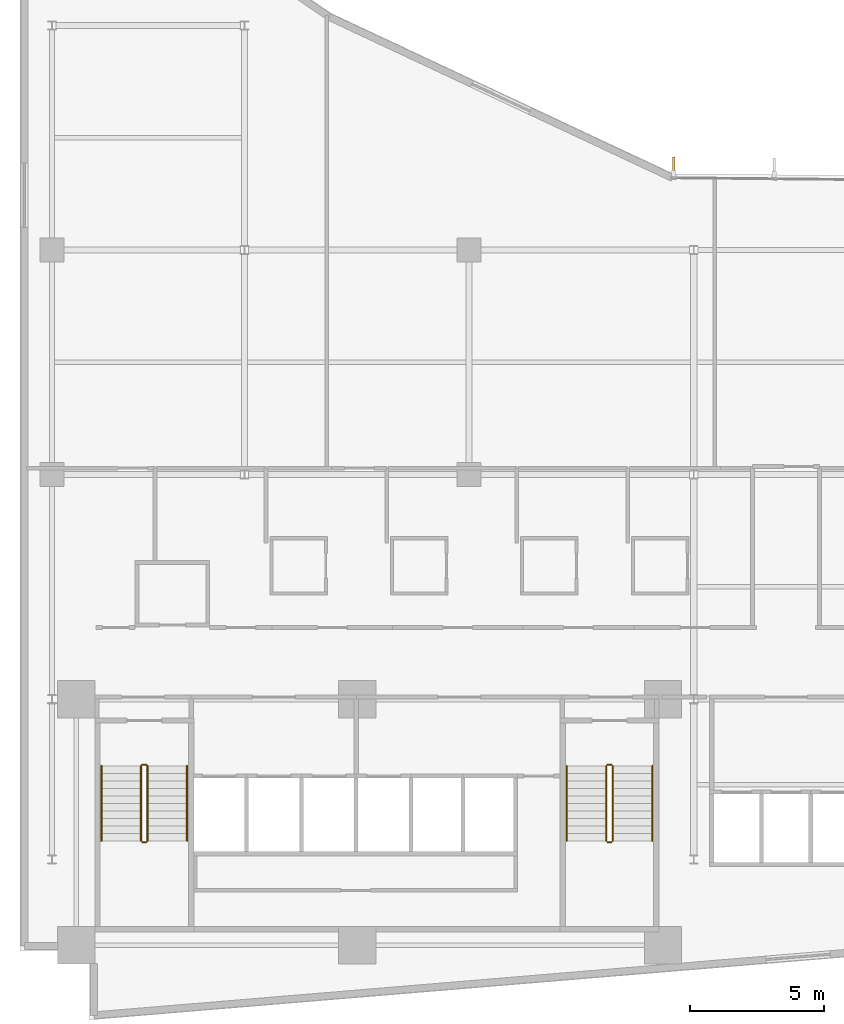
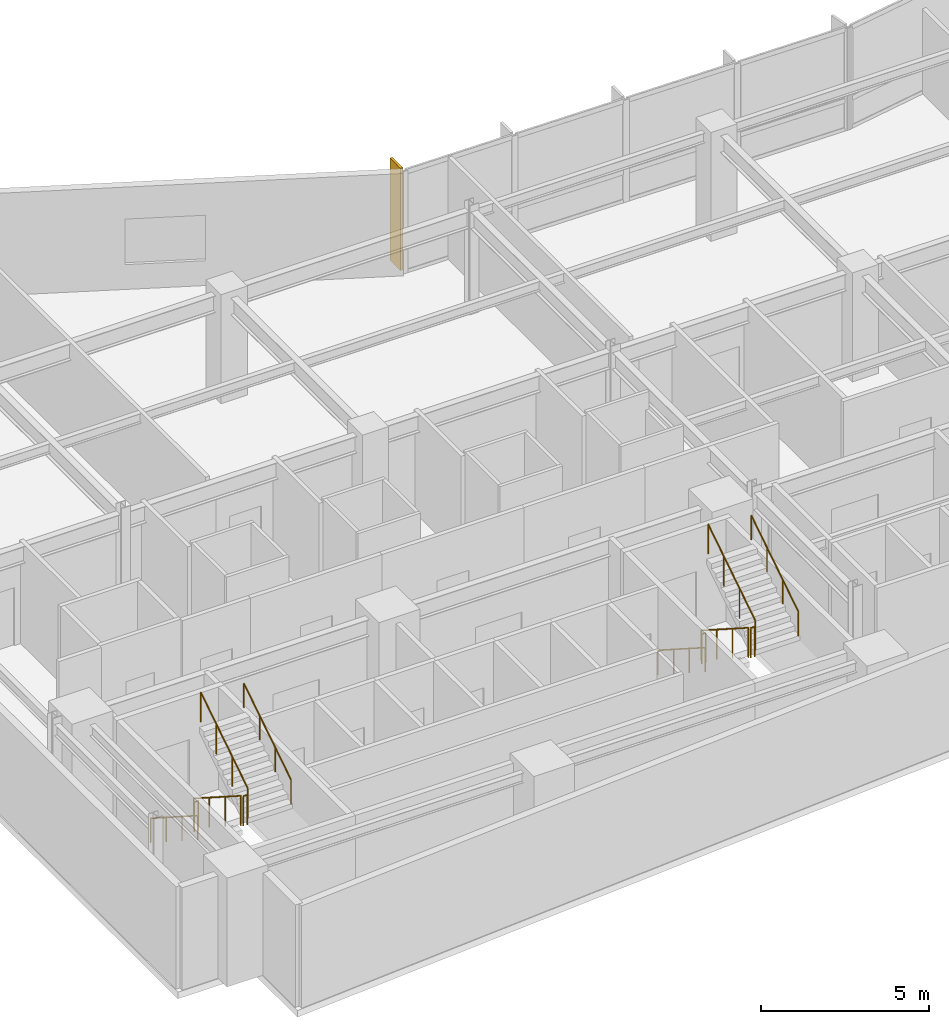
# One storey, part 14 of 18: 12 railings, 1 shading device.
"""IFC4 building model written with IfcOpenShell, lengths in metres."""

from ifc_helpers import new_model, si_unit, direction, frame, origin, origin_2d, place, context, subcontext, project, spatial, rectangle, circle, extrude, material, layer, layer_set, type_object, element, save


model = new_model("IFC4")

# Units and contexts
model_context = context("Model", 3, precision=1e-05, world=origin(), true_north=direction((0.0, 1.0)))
body_context = subcontext(model_context, "Body", "Model", "MODEL_VIEW")
ifc_project = project(units=[si_unit("LENGTHUNIT", "METRE"), si_unit("AREAUNIT", "SQUARE_METRE"), si_unit("VOLUMEUNIT", "CUBIC_METRE"), si_unit("PLANEANGLEUNIT", "RADIAN"), si_unit("MASSUNIT", "GRAM", prefix="KILO")], contexts=[model_context])

# Site, building, storey
site_placement = place(None, origin())
site = spatial("IfcSite", under=ifc_project, at=site_placement, CompositionType="ELEMENT")
building_placement = place(site_placement, origin())
building = spatial("IfcBuilding", under=site, at=building_placement, Name="Varnakote Quay Hospital", CompositionType="ELEMENT")
storey_placement = place(building_placement, frame((0.0, 0.0, 69.89990234375)))
storey = spatial("IfcBuildingStorey", under=building, at=storey_placement, Name="L17", CompositionType="ELEMENT", Elevation=69.89990234375)

# Railings
ifc_material_1 = material(Name="Brushed stainless steel balustrade", Category="steel")
railing_type_1 = type_object("IfcRailingType", Name="RLG-STAIR-GUARD-1150", PredefinedType="GUARDRAIL", material=ifc_material_1)
railing_1_placement = place(storey_placement, frame((4.530029296875, 9.5, 0.1796875)))
element("IfcRailing", 1, at=railing_1_placement, inside=storey, type_object=railing_type_1, Name="L17 ST-01 stair guard 1", PredefinedType="GUARDRAIL", context=body_context, shape_type="SweptSolid", body=[
    extrude(circle(Radius=0.02392578125, at=origin_2d()), frame((0.0, 0.0, 1.076171875), z_axis=(0.0, -0.841809871826, 0.539774156196), x_axis=(1.0, 0.0, 0.0)), (0.0, 0.0, 1.0), 3.326171875),
    extrude(circle(Radius=0.02099609375, at=origin_2d()), origin(), (0.0, 0.0, 1.0), 1.052001953125),
    extrude(circle(Radius=0.02099609375, at=origin_2d()), frame((0.0, -0.933349609375, 0.598388671875)), (0.0, 0.0, 1.0), 1.052001953125),
    extrude(circle(Radius=0.02099609375, at=origin_2d()), frame((0.0, -1.86669921875, 1.197021484375)), (0.0, 0.0, 1.0), 1.052001953125),
    extrude(circle(Radius=0.02099609375, at=origin_2d()), frame((0.0, -2.800048828125, 1.79541015625)), (0.0, 0.0, 1.0), 1.052001953125),
])
railing_2_placement = place(storey_placement, frame((4.580078125, 6.64990234375, 1.97509765625)))
element("IfcRailing", 2, at=railing_2_placement, inside=storey, type_object=railing_type_1, Name="L17 ST-01 stair guard 2", PredefinedType="GUARDRAIL", context=body_context, shape_type="SweptSolid", body=[
    extrude(circle(Radius=0.02392578125, at=origin_2d()), frame((0.0, 0.0, 1.076171875), z_axis=(1.0, 0.0, 0.0), x_axis=(0.0, 1.0, 0.0)), (0.0, 0.0, 1.0), 0.139892578125),
    extrude(circle(Radius=0.02099609375, at=origin_2d()), origin(), (0.0, 0.0, 1.0), 1.052001953125),
    extrude(circle(Radius=0.02099609375, at=origin_2d()), frame((0.139892578125, 0.0, 0.0)), (0.0, 0.0, 1.0), 1.052001953125),
])
railing_3_placement = place(storey_placement, frame((4.77001953125, 6.699951171875, 2.154541015625)))
element("IfcRailing", 3, at=railing_3_placement, inside=storey, type_object=railing_type_1, Name="L17 ST-01 stair guard 3", PredefinedType="GUARDRAIL", context=body_context, shape_type="SweptSolid", body=[
    extrude(circle(Radius=0.02392578125, at=origin_2d()), frame((0.0, 0.0, 1.076171875), z_axis=(0.0, 0.841776520102, 0.539826166654), x_axis=(-1.0, 0.0, 0.0)), (0.0, 0.0, 1.0), 3.326416015625),
    extrude(circle(Radius=0.02099609375, at=origin_2d()), origin(), (0.0, 0.0, 1.0), 1.052001953125),
    extrude(circle(Radius=0.02099609375, at=origin_2d()), frame((0.0, 0.933349609375, 0.5986328125)), (0.0, 0.0, 1.0), 1.052001953125),
    extrude(circle(Radius=0.02099609375, at=origin_2d()), frame((0.0, 1.86669921875, 1.197021484375)), (0.0, 0.0, 1.0), 1.052001953125),
    extrude(circle(Radius=0.02099609375, at=origin_2d()), frame((0.0, 2.800048828125, 1.795654296875)), (0.0, 0.0, 1.0), 1.052001953125),
])
railing_4_placement = place(storey_placement, frame((4.580078125, 9.550048828125, 0.0)))
element("IfcRailing", 4, at=railing_4_placement, inside=storey, type_object=railing_type_1, Name="L17 ST-01 stair guard 4", PredefinedType="GUARDRAIL", context=body_context, shape_type="SweptSolid", body=[
    extrude(circle(Radius=0.02392578125, at=origin_2d()), frame((0.0, 0.0, 1.076171875), z_axis=(1.0, 0.0, 0.0), x_axis=(0.0, 1.0, 0.0)), (0.0, 0.0, 1.0), 0.139892578125),
    extrude(circle(Radius=0.02099609375, at=origin_2d()), origin(), (0.0, 0.0, 1.0), 1.052001953125),
    extrude(circle(Radius=0.02099609375, at=origin_2d()), frame((0.139892578125, 0.0, 0.0)), (0.0, 0.0, 1.0), 1.052001953125),
])
railing_5_placement = place(storey_placement, frame((21.929931640625, 9.5, 0.1796875)))
element("IfcRailing", 5, at=railing_5_placement, inside=storey, type_object=railing_type_1, Name="L17 ST-02 stair guard 1", PredefinedType="GUARDRAIL", context=body_context, shape_type="SweptSolid", body=[
    extrude(circle(Radius=0.02392578125, at=origin_2d()), frame((0.0, 0.0, 1.076171875), z_axis=(0.0, -0.841809871826, 0.539774156196), x_axis=(1.0, 0.0, 0.0)), (0.0, 0.0, 1.0), 3.326171875),
    extrude(circle(Radius=0.02099609375, at=origin_2d()), origin(), (0.0, 0.0, 1.0), 1.052001953125),
    extrude(circle(Radius=0.02099609375, at=origin_2d()), frame((0.0, -0.933349609375, 0.598388671875)), (0.0, 0.0, 1.0), 1.052001953125),
    extrude(circle(Radius=0.02099609375, at=origin_2d()), frame((0.0, -1.86669921875, 1.197021484375)), (0.0, 0.0, 1.0), 1.052001953125),
    extrude(circle(Radius=0.02099609375, at=origin_2d()), frame((0.0, -2.800048828125, 1.79541015625)), (0.0, 0.0, 1.0), 1.052001953125),
])
railing_6_placement = place(storey_placement, frame((21.97998046875, 6.64990234375, 1.97509765625)))
element("IfcRailing", 6, at=railing_6_placement, inside=storey, type_object=railing_type_1, Name="L17 ST-02 stair guard 2", PredefinedType="GUARDRAIL", context=body_context, shape_type="SweptSolid", body=[
    extrude(circle(Radius=0.02392578125, at=origin_2d()), frame((0.0, 0.0, 1.076171875), z_axis=(1.0, 0.0, 0.0), x_axis=(0.0, 1.0, 0.0)), (0.0, 0.0, 1.0), 0.14013671875),
    extrude(circle(Radius=0.02099609375, at=origin_2d()), origin(), (0.0, 0.0, 1.0), 1.052001953125),
    extrude(circle(Radius=0.02099609375, at=origin_2d()), frame((0.14013671875, 0.0, 0.0)), (0.0, 0.0, 1.0), 1.052001953125),
])
railing_7_placement = place(storey_placement, frame((22.169921875, 6.699951171875, 2.154541015625)))
element("IfcRailing", 7, at=railing_7_placement, inside=storey, type_object=railing_type_1, Name="L17 ST-02 stair guard 3", PredefinedType="GUARDRAIL", context=body_context, shape_type="SweptSolid", body=[
    extrude(circle(Radius=0.02392578125, at=origin_2d()), frame((0.0, 0.0, 1.076171875), z_axis=(0.0, 0.841776520102, 0.539826166654), x_axis=(-1.0, 0.0, 0.0)), (0.0, 0.0, 1.0), 3.326416015625),
    extrude(circle(Radius=0.02099609375, at=origin_2d()), origin(), (0.0, 0.0, 1.0), 1.052001953125),
    extrude(circle(Radius=0.02099609375, at=origin_2d()), frame((0.0, 0.933349609375, 0.5986328125)), (0.0, 0.0, 1.0), 1.052001953125),
    extrude(circle(Radius=0.02099609375, at=origin_2d()), frame((0.0, 1.86669921875, 1.197021484375)), (0.0, 0.0, 1.0), 1.052001953125),
    extrude(circle(Radius=0.02099609375, at=origin_2d()), frame((0.0, 2.800048828125, 1.795654296875)), (0.0, 0.0, 1.0), 1.052001953125),
])
railing_8_placement = place(storey_placement, frame((21.97998046875, 9.550048828125, 0.0)))
element("IfcRailing", 8, at=railing_8_placement, inside=storey, type_object=railing_type_1, Name="L17 ST-02 stair guard 4", PredefinedType="GUARDRAIL", context=body_context, shape_type="SweptSolid", body=[
    extrude(circle(Radius=0.02392578125, at=origin_2d()), frame((0.0, 0.0, 1.076171875), z_axis=(1.0, 0.0, 0.0), x_axis=(0.0, 1.0, 0.0)), (0.0, 0.0, 1.0), 0.14013671875),
    extrude(circle(Radius=0.02099609375, at=origin_2d()), origin(), (0.0, 0.0, 1.0), 1.052001953125),
    extrude(circle(Radius=0.02099609375, at=origin_2d()), frame((0.14013671875, 0.0, 0.0)), (0.0, 0.0, 1.0), 1.052001953125),
])
ifc_material_2 = material(Name="Brushed stainless steel handrail", Category="steel")
railing_type_2 = type_object("IfcRailingType", Name="RLG-STAIR-HND-920", PredefinedType="HANDRAIL", material=ifc_material_2)
railing_9_placement = place(storey_placement, frame((3.050048828125, 9.5, 0.1796875)))
element("IfcRailing", 9, at=railing_9_placement, inside=storey, type_object=railing_type_2, Name="L17 ST-01 stair handrail 1", PredefinedType="HANDRAIL", context=body_context, shape_type="SweptSolid", body=[
    extrude(circle(Radius=0.02392578125, at=origin_2d()), frame((0.0, 0.0, 0.8759765625), z_axis=(0.0, -0.841809871826, 0.539774156196), x_axis=(1.0, 0.0, 0.0)), (0.0, 0.0, 1.0), 3.326171875),
    extrude(circle(Radius=0.02099609375, at=origin_2d()), origin(), (0.0, 0.0, 1.0), 0.851806640625),
    extrude(circle(Radius=0.02099609375, at=origin_2d()), frame((0.0, -0.933349609375, 0.598388671875)), (0.0, 0.0, 1.0), 0.851806640625),
    extrude(circle(Radius=0.02099609375, at=origin_2d()), frame((0.0, -1.86669921875, 1.197021484375)), (0.0, 0.0, 1.0), 0.851806640625),
    extrude(circle(Radius=0.02099609375, at=origin_2d()), frame((0.0, -2.800048828125, 1.79541015625)), (0.0, 0.0, 1.0), 0.851806640625),
])
railing_10_placement = place(storey_placement, frame((6.25, 6.699951171875, 2.154541015625)))
element("IfcRailing", 10, at=railing_10_placement, inside=storey, type_object=railing_type_2, Name="L17 ST-01 stair handrail 2", PredefinedType="HANDRAIL", context=body_context, shape_type="SweptSolid", body=[
    extrude(circle(Radius=0.02392578125, at=origin_2d()), frame((0.0, 0.0, 0.8759765625), z_axis=(0.0, 0.841776520102, 0.539826166654), x_axis=(-1.0, 0.0, 0.0)), (0.0, 0.0, 1.0), 3.326416015625),
    extrude(circle(Radius=0.02099609375, at=origin_2d()), origin(), (0.0, 0.0, 1.0), 0.851806640625),
    extrude(circle(Radius=0.02099609375, at=origin_2d()), frame((0.0, 0.933349609375, 0.5986328125)), (0.0, 0.0, 1.0), 0.851806640625),
    extrude(circle(Radius=0.02099609375, at=origin_2d()), frame((0.0, 1.86669921875, 1.197021484375)), (0.0, 0.0, 1.0), 0.851806640625),
    extrude(circle(Radius=0.02099609375, at=origin_2d()), frame((0.0, 2.800048828125, 1.795654296875)), (0.0, 0.0, 1.0), 0.851806640625),
])
railing_11_placement = place(storey_placement, frame((20.449951171875, 9.5, 0.1796875)))
element("IfcRailing", 11, at=railing_11_placement, inside=storey, type_object=railing_type_2, Name="L17 ST-02 stair handrail 1", PredefinedType="HANDRAIL", context=body_context, shape_type="SweptSolid", body=[
    extrude(circle(Radius=0.02392578125, at=origin_2d()), frame((0.0, 0.0, 0.8759765625), z_axis=(0.0, -0.841809871826, 0.539774156196), x_axis=(1.0, 0.0, 0.0)), (0.0, 0.0, 1.0), 3.326171875),
    extrude(circle(Radius=0.02099609375, at=origin_2d()), origin(), (0.0, 0.0, 1.0), 0.851806640625),
    extrude(circle(Radius=0.02099609375, at=origin_2d()), frame((0.0, -0.933349609375, 0.598388671875)), (0.0, 0.0, 1.0), 0.851806640625),
    extrude(circle(Radius=0.02099609375, at=origin_2d()), frame((0.0, -1.86669921875, 1.197021484375)), (0.0, 0.0, 1.0), 0.851806640625),
    extrude(circle(Radius=0.02099609375, at=origin_2d()), frame((0.0, -2.800048828125, 1.79541015625)), (0.0, 0.0, 1.0), 0.851806640625),
])
railing_12_placement = place(storey_placement, frame((23.64990234375, 6.699951171875, 2.154541015625)))
element("IfcRailing", 12, at=railing_12_placement, inside=storey, type_object=railing_type_2, Name="L17 ST-02 stair handrail 2", PredefinedType="HANDRAIL", context=body_context, shape_type="SweptSolid", body=[
    extrude(circle(Radius=0.02392578125, at=origin_2d()), frame((0.0, 0.0, 0.8759765625), z_axis=(0.0, 0.841776520102, 0.539826166654), x_axis=(-1.0, 0.0, 0.0)), (0.0, 0.0, 1.0), 3.326416015625),
    extrude(circle(Radius=0.02099609375, at=origin_2d()), origin(), (0.0, 0.0, 1.0), 0.851806640625),
    extrude(circle(Radius=0.02099609375, at=origin_2d()), frame((0.0, 0.933349609375, 0.5986328125)), (0.0, 0.0, 1.0), 0.851806640625),
    extrude(circle(Radius=0.02099609375, at=origin_2d()), frame((0.0, 1.86669921875, 1.197021484375)), (0.0, 0.0, 1.0), 0.851806640625),
    extrude(circle(Radius=0.02099609375, at=origin_2d()), frame((0.0, 2.800048828125, 1.795654296875)), (0.0, 0.0, 1.0), 0.851806640625),
])

# Shading device
ifc_material_3 = material(Name="Anodised aluminium 6063-T6 Bronze", Category="aluminium")
ifc_layer = layer(ifc_material_3, 0.0849609375)
ifc_layer_set = layer_set([ifc_layer], Name="Anodised aluminium 6063-T6 Bronze")
shading_device_type = type_object("IfcShadingDeviceType", Name="SHD-BRONZE-FIN-620", PredefinedType="USERDEFINED", material=ifc_layer_set)
shading_device_placement = place(storey_placement, frame((24.44970703125, 31.9619140625, 0.0), z_axis=(0.0, 0.0, 1.0), x_axis=(-0.009773688199, -0.999952236369, 0.0)))
element("IfcShadingDevice", 13, at=shading_device_placement, inside=storey, type_object=shading_device_type, Name="L17 Anodised Bronze Vertical Shading FIN", ObjectType="FIN", PredefinedType="USERDEFINED", context=body_context, shape_type="SweptSolid", body=[
    extrude(rectangle(XDim=0.6201171875, YDim=0.0849609375, at=origin_2d()), origin(), (0.0, 0.0, 1.0), 3.7099609375),
])

save(model, "model.ifc")
